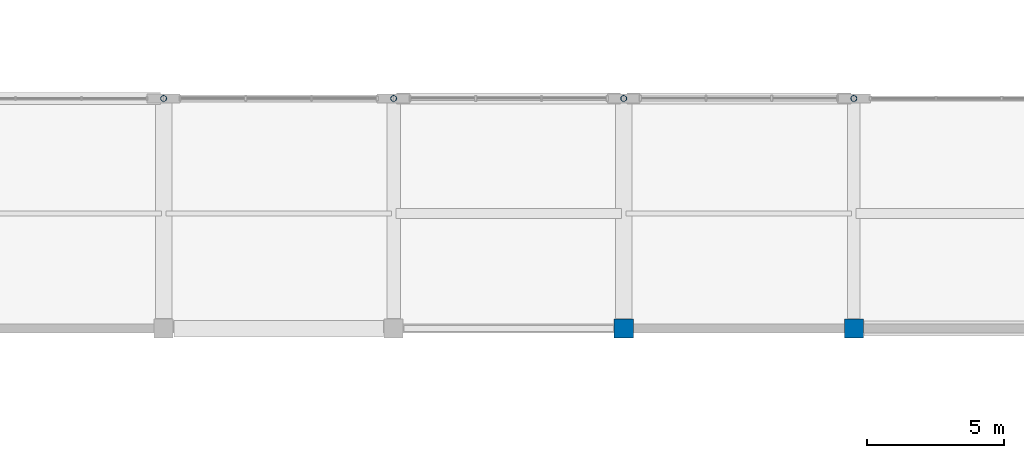
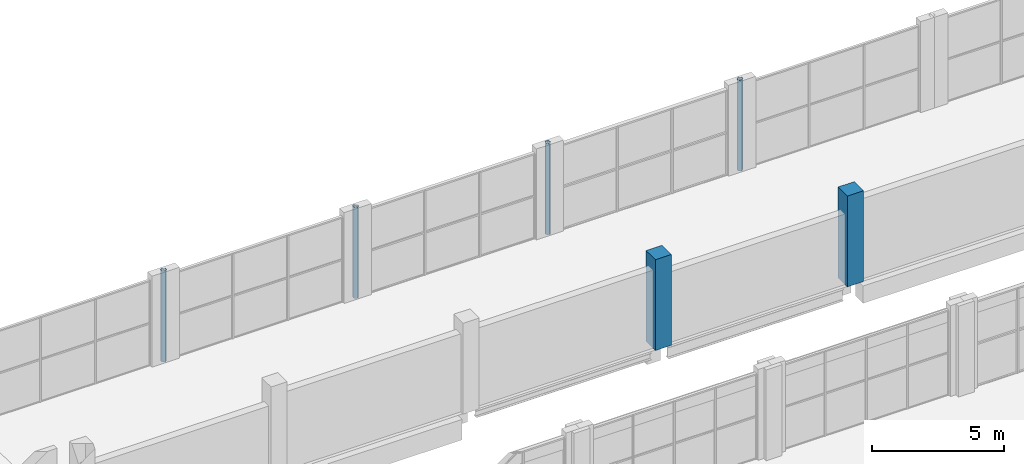
# One storey, part 4 of 59: 6 columns.
"""IFC4 building model written with IfcOpenShell, lengths in metres."""

import ifcopenshell
import ifcopenshell.guid

model = None  # the IFC model being written
_history = None  # IfcOwnerHistory: only IFC2X3 demands one
_inside = {}  # id of a spatial element -> (the spatial element, [elements in it])
_under = {}  # id of a project, library or spatial element -> (it, [spatial elements below it])
_declared = {}  # id of a project -> (the project, [libraries it declares])
_typed = {}  # id of a type object -> (the type object, [elements of that type])
_made_of = {}  # id of a material, layer set ... -> (it, [elements and type objects made of it])


def new_model(schema):
    """Start an empty IFC model of exactly this schema.

    Asked for "IFC4X3", IfcOpenShell would pick the latest addendum, in which some entities
    have other attributes; the version numbers below select the first issue.
    IFC2X3 requires an IfcOwnerHistory on every rooted entity: one is made here for all.
    """
    global model, _history
    if schema == "IFC4X3":
        model = ifcopenshell.file(schema_version=(4, 3, 0, 0))
    else:
        model = ifcopenshell.file(schema=schema)
    _inside.clear()
    _under.clear()
    _declared.clear()
    _typed.clear()
    _made_of.clear()
    _history = None
    if model.schema == "IFC2X3":
        org = make("IfcOrganization", Name="unknown")
        user = make(
            "IfcPersonAndOrganization",
            ThePerson=make("IfcPerson", FamilyName="unknown"),
            TheOrganization=org,
        )
        app = make(
            "IfcApplication",
            ApplicationDeveloper=org,
            Version="unknown",
            ApplicationFullName="unknown",
            ApplicationIdentifier="unknown",
        )
        _history = make(
            "IfcOwnerHistory",
            OwningUser=user,
            OwningApplication=app,
            ChangeAction="ADDED",
            CreationDate=0,
        )
    return model


def make(cls, **values):
    """One entity of the class cls with the attributes given. An attribute that is None is left unset."""
    return model.create_entity(
        cls, **{name: value for name, value in values.items() if value is not None}
    )


def rooted(cls, **values):
    """An entity with a GlobalId (a new one), such as an element, a storey or a relation."""
    return make(cls, GlobalId=ifcopenshell.guid.new(), OwnerHistory=_history, **values)


def si_unit(unit_type, name, prefix=None):
    """IfcSIUnit, for example si_unit("LENGTHUNIT", "METRE", prefix="MILLI")."""
    return make("IfcSIUnit", UnitType=unit_type, Prefix=prefix, Name=name)


def derived_unit(unit_type, elements):
    """IfcDerivedUnit: a product of units, each with its exponent."""
    return make(
        "IfcDerivedUnit",
        Elements=[
            make("IfcDerivedUnitElement", Unit=unit, Exponent=power)
            for unit, power in elements
        ],
        UnitType=unit_type,
    )


def assignment(units):
    """IfcUnitAssignment: the units of a project."""
    return None if units is None else make("IfcUnitAssignment", Units=units)


def point(xyz):
    """IfcCartesianPoint."""
    return None if xyz is None else make("IfcCartesianPoint", Coordinates=xyz)


def direction(xyz):
    """IfcDirection."""
    return None if xyz is None else make("IfcDirection", DirectionRatios=xyz)


def frame(location, z_axis=None, x_axis=None):
    """IfcAxis2Placement3D, a coordinate frame: its origin and axes. An axis left out is left unset."""
    return make(
        "IfcAxis2Placement3D",
        Location=point(location),
        Axis=direction(z_axis),
        RefDirection=direction(x_axis),
    )


def frame_2d(location, x_axis=None):
    """IfcAxis2Placement2D, a coordinate frame in the plane: its origin and x axis."""
    return make(
        "IfcAxis2Placement2D", Location=point(location), RefDirection=direction(x_axis)
    )


def origin():
    """The frame at (0, 0, 0) with its axes left unset."""
    return frame((0.0, 0.0, 0.0))


def origin_2d():
    """The frame at (0, 0) in the plane with its x axis left unset."""
    return frame_2d((0.0, 0.0))


def place(relative_to, where):
    """IfcLocalPlacement: puts the frame where relative to a parent placement (None: the world)."""
    return make(
        "IfcLocalPlacement", PlacementRelTo=relative_to, RelativePlacement=where
    )


def context(
    kind, dimensions, precision=None, world=None, true_north=None, identifier=None
):
    """IfcGeometricRepresentationContext, for example the 3D "Model" context."""
    return make(
        "IfcGeometricRepresentationContext",
        ContextIdentifier=identifier,
        ContextType=kind,
        CoordinateSpaceDimension=dimensions,
        Precision=precision,
        WorldCoordinateSystem=world,
        TrueNorth=true_north,
    )


def subcontext(parent, identifier, kind, view, scale=None):
    """IfcGeometricRepresentationSubContext, for example "Body" below "Model"."""
    return make(
        "IfcGeometricRepresentationSubContext",
        ContextIdentifier=identifier,
        ContextType=kind,
        ParentContext=parent,
        TargetScale=scale,
        TargetView=view,
    )


def project(units=None, contexts=None):
    """IfcProject with its units and contexts."""
    return rooted(
        "IfcProject",
        Name="project",
        RepresentationContexts=contexts,
        UnitsInContext=assignment(units),
    )


def spatial(cls, under=None, at=None, **own):
    """A site, building, storey or space (cls), placed at a placement, below another one or the project."""
    s = rooted(cls, ObjectPlacement=at, **own)
    if under is not None:
        _under.setdefault(under.id(), (under, []))[1].append(s)
    return s


def profile(cls, at=None, kind="AREA", **sizes):
    """A parametric profile (cls). Its sizes go by their IFC names, for example OverallWidth=200.0."""
    return make(cls, ProfileType=kind, Position=at, **sizes)


def rectangle(**sizes):
    """IfcRectangleProfileDef."""
    return profile("IfcRectangleProfileDef", **sizes)


def hollow_circle(**sizes):
    """IfcCircleHollowProfileDef."""
    return profile("IfcCircleHollowProfileDef", **sizes)


def extrude(swept, where, along, depth):
    """IfcExtrudedAreaSolid: the profile swept, set in the frame where, extruded along a direction by depth."""
    return make(
        "IfcExtrudedAreaSolid",
        SweptArea=swept,
        Position=where,
        ExtrudedDirection=direction(along),
        Depth=depth,
    )


def shape(context_of_items, identifier, shape_type, items):
    """IfcShapeRepresentation: the items that make up one representation, for example the "Body"."""
    return make(
        "IfcShapeRepresentation",
        ContextOfItems=context_of_items,
        RepresentationIdentifier=identifier,
        RepresentationType=shape_type,
        Items=items,
    )


def material(Name=None, Category=None):
    """IfcMaterial."""
    return make("IfcMaterial", Name=Name, Category=Category)


def material_profile(
    of_material, cross_section, Name=None, Category=None, Priority=None
):
    """IfcMaterialProfile: a cross section and its material."""
    return make(
        "IfcMaterialProfile",
        Name=Name,
        Material=of_material,
        Profile=cross_section,
        Priority=Priority,
        Category=Category,
    )


def profile_set(profiles, Name=None, composite=None):
    """IfcMaterialProfileSet."""
    return make(
        "IfcMaterialProfileSet",
        Name=Name,
        MaterialProfiles=profiles,
        CompositeProfile=composite,
    )


def made_of(thing, what):
    """Note that an element or type object is made of a material, layer set ...; save() writes the relation."""
    if what is not None:
        _made_of.setdefault(what.id(), (what, []))[1].append(thing)
    return thing


def type_object(cls, material=None, **own):
    """A type object (cls), such as IfcWallType, which elements share."""
    return made_of(rooted(cls, **own), material)


def element(
    cls,
    number,
    at=None,
    inside=None,
    cuts=None,
    type_object=None,
    material=None,
    context=None,
    identifier="Body",
    shape_type=None,
    held_by="IfcProductDefinitionShape",
    body=None,
    shapes=None,
    **own,
):
    """One element of the class cls, such as IfcWall. Its Tag is "e" and its number.

    at: its placement. inside: the storey or other place that contains it. cuts: it is an
    opening in that element (IfcRelVoidsElement). A single representation is given by context,
    identifier, shape_type and body (its items); several are given by shapes. held_by: the class
    of the entity that holds the representations. save() writes the other relations.
    """
    e = rooted(cls, Tag="e%d" % number, ObjectPlacement=at, **own)
    if body is not None:
        shapes = [shape(context, identifier, shape_type, body)]
    if shapes is not None:
        e.Representation = make(held_by, Representations=shapes)
    if inside is not None:
        _inside.setdefault(inside.id(), (inside, []))[1].append(e)
    if cuts is not None:
        rooted(
            "IfcRelVoidsElement", RelatingBuildingElement=cuts, RelatedOpeningElement=e
        )
    if type_object is not None:
        _typed.setdefault(type_object.id(), (type_object, []))[1].append(e)
    return made_of(e, material)


def aggregate(whole, parts):
    """IfcRelAggregates: a whole, such as a stair, and the parts it consists of."""
    return rooted("IfcRelAggregates", RelatingObject=whole, RelatedObjects=parts)


def save(model, path):
    """Write the relations noted so far, then the file.

    IfcRelAggregates (storeys below a building ...), IfcRelContainedInSpatialStructure (elements
    in a storey), IfcRelDefinesByType, IfcRelAssociatesMaterial and IfcRelDeclares: one each for
    every whole, place, type object, material and project.
    """
    for whole, parts in _under.values():
        aggregate(whole, parts)
    for where, things in _inside.values():
        rooted(
            "IfcRelContainedInSpatialStructure",
            RelatedElements=things,
            RelatingStructure=where,
        )
    for kind, things in _typed.values():
        rooted("IfcRelDefinesByType", RelatedObjects=things, RelatingType=kind)
    for what, things in _made_of.values():
        rooted("IfcRelAssociatesMaterial", RelatedObjects=things, RelatingMaterial=what)
    for by, libraries in _declared.values():
        rooted("IfcRelDeclares", RelatingContext=by, RelatedDefinitions=libraries)
    model.write(path)


model = new_model("IFC4")

# Units and contexts
model_context = context("Model", 3, precision=1e-05, world=origin(), true_north=direction((0.0, 1.0)))
body_context = subcontext(model_context, "Body", "Model", "MODEL_VIEW")
ifc_project = project(units=[si_unit("LENGTHUNIT", "METRE"), si_unit("AREAUNIT", "SQUARE_METRE"), si_unit("VOLUMEUNIT", "CUBIC_METRE"), si_unit("PLANEANGLEUNIT", "RADIAN"), si_unit("MASSUNIT", "GRAM", prefix="KILO"), derived_unit("THERMALTRANSMITTANCEUNIT", [(si_unit("POWERUNIT", "WATT"), 1), (si_unit("LENGTHUNIT", "METRE"), -2), (si_unit("THERMODYNAMICTEMPERATUREUNIT", "KELVIN"), -1)])], contexts=[model_context])

# Site, building, storey
site_placement = place(None, origin())
site = spatial("IfcSite", under=ifc_project, at=site_placement, CompositionType="ELEMENT")
building_placement = place(site_placement, origin())
building = spatial("IfcBuilding", under=site, at=building_placement, Name="Barrovel Congress Hotel", CompositionType="ELEMENT")
storey_placement = place(building_placement, frame((0.0, 0.0, 9.89990234375)))
storey = spatial("IfcBuildingStorey", under=building, at=storey_placement, Name="L02", CompositionType="ELEMENT", Elevation=9.89990234375)

# Columns
ifc_material_1 = material(Name="Concrete C40", Category="concrete")
ifc_material_profile_1 = material_profile(ifc_material_1, rectangle(XDim=0.699951171875, YDim=0.699951171875, at=origin_2d()), Name="RC700x700")
ifc_profile_set_1 = profile_set([ifc_material_profile_1], Name="Concrete C40")
column_type_1 = type_object("IfcColumnType", Name="COL-RC700x700", PredefinedType="COLUMN", material=ifc_profile_set_1)
for number, where, z_axis, x_axis, name in (
    (1, (84.0, 37.800048828125, 0.0), (0.0, 0.0, 1.0), (1.0, 0.0, 0.0), "COL:L02:84.0:37.8"),
    (2, (92.39990234375, 37.800048828125, 0.0), (0.0, 0.0, 1.0), (1.0, 0.0, 0.0), "COL:L02:92.4:37.8"),
):
    element("IfcColumn", number, at=place(storey_placement, frame(where, z_axis=z_axis, x_axis=x_axis)), inside=storey, type_object=column_type_1, Name=name, PredefinedType="COLUMN", context=body_context, shape_type="SweptSolid", body=[
        extrude(rectangle(XDim=0.699951171875, YDim=0.699951171875, at=origin_2d()), origin(), (0.0, 0.0, 1.0), 4.2001953125),
    ])
ifc_material_2 = material(Name="Steel ASTM A500 Grade C", Category="steel")
ifc_material_profile_2 = material_profile(ifc_material_2, hollow_circle(Radius=0.109619140625, WallThickness=0.0087890625, at=origin_2d()), Name="CHS219.1x9.5")
ifc_profile_set_2 = profile_set([ifc_material_profile_2], Name="Steel ASTM A500 Grade C")
column_type_2 = type_object("IfcColumnType", Name="SCOL-CHS219.1x9.5", PredefinedType="COLUMN", material=ifc_profile_set_2)
for number, where, z_axis, x_axis, name in (
    (3, (67.199951171875, 46.199951171875, 0.0), (0.0, 0.0, 1.0), (1.0, 0.0, 0.0), "COL:L02:67.2:46.2"),
    (4, (75.60009765625, 46.199951171875, 0.0), (0.0, 0.0, 1.0), (1.0, 0.0, 0.0), "COL:L02:75.6:46.2"),
    (5, (84.0, 46.199951171875, 0.0), (0.0, 0.0, 1.0), (1.0, 0.0, 0.0), "COL:L02:84.0:46.2"),
    (6, (92.39990234375, 46.199951171875, 0.0), (0.0, 0.0, 1.0), (1.0, 0.0, 0.0), "COL:L02:92.4:46.2"),
):
    element("IfcColumn", number, at=place(storey_placement, frame(where, z_axis=z_axis, x_axis=x_axis)), inside=storey, type_object=column_type_2, Name=name, PredefinedType="COLUMN", context=body_context, shape_type="SweptSolid", body=[
        extrude(hollow_circle(Radius=0.109619140625, WallThickness=0.0087890625, at=origin_2d()), origin(), (0.0, 0.0, 1.0), 4.2001953125),
    ])

save(model, "model.ifc")
